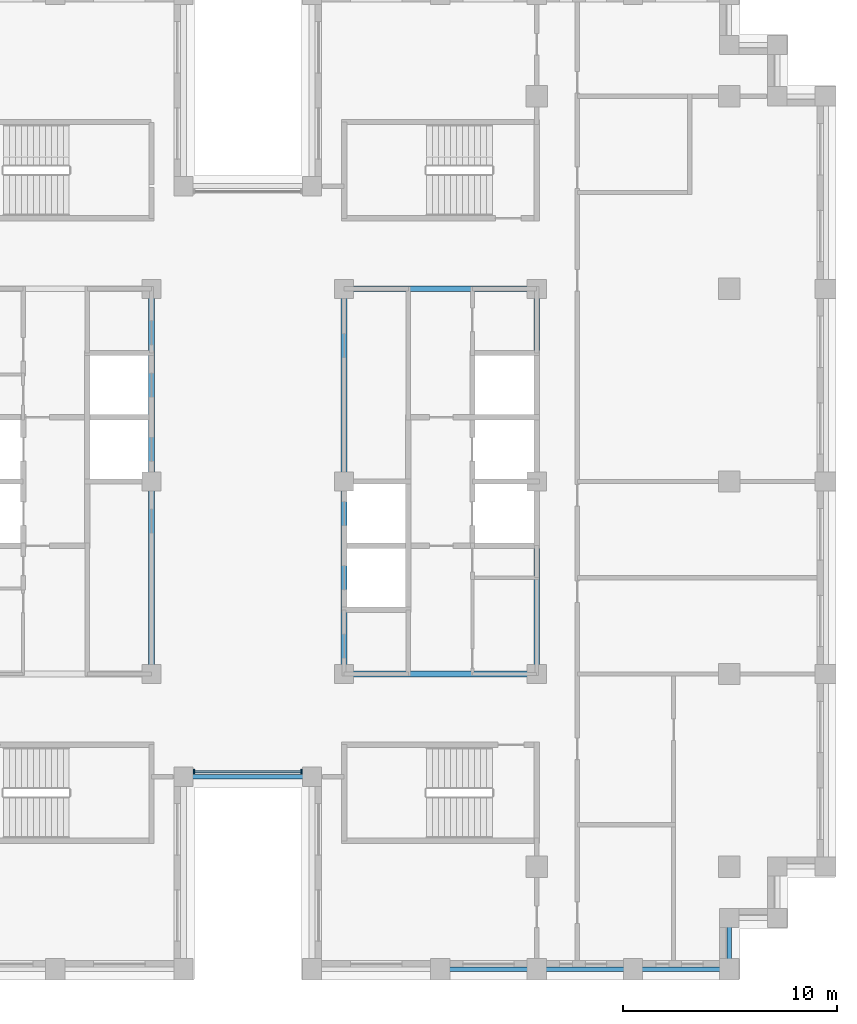
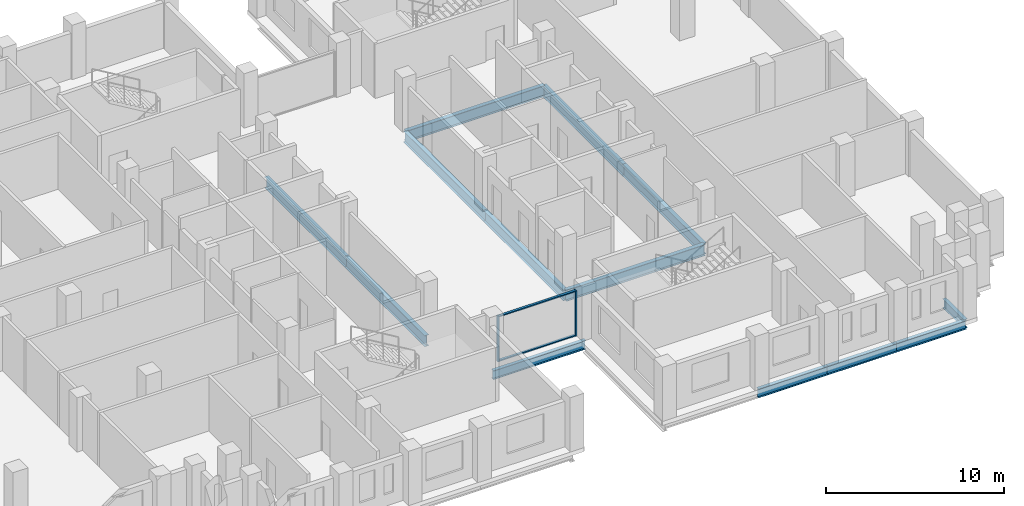
# One storey, part 2 of 15: 13 beams, 4 members, 1 element without a shape of its own.
"""IFC4 building model written with IfcOpenShell, lengths in metres."""

import ifcopenshell
import ifcopenshell.guid

model = None  # the IFC model being written
_history = None  # IfcOwnerHistory: only IFC2X3 demands one
_inside = {}  # id of a spatial element -> (the spatial element, [elements in it])
_under = {}  # id of a project, library or spatial element -> (it, [spatial elements below it])
_declared = {}  # id of a project -> (the project, [libraries it declares])
_typed = {}  # id of a type object -> (the type object, [elements of that type])
_made_of = {}  # id of a material, layer set ... -> (it, [elements and type objects made of it])


def new_model(schema):
    """Start an empty IFC model of exactly this schema.

    Asked for "IFC4X3", IfcOpenShell would pick the latest addendum, in which some entities
    have other attributes; the version numbers below select the first issue.
    IFC2X3 requires an IfcOwnerHistory on every rooted entity: one is made here for all.
    """
    global model, _history
    if schema == "IFC4X3":
        model = ifcopenshell.file(schema_version=(4, 3, 0, 0))
    else:
        model = ifcopenshell.file(schema=schema)
    _inside.clear()
    _under.clear()
    _declared.clear()
    _typed.clear()
    _made_of.clear()
    _history = None
    if model.schema == "IFC2X3":
        org = make("IfcOrganization", Name="unknown")
        user = make(
            "IfcPersonAndOrganization",
            ThePerson=make("IfcPerson", FamilyName="unknown"),
            TheOrganization=org,
        )
        app = make(
            "IfcApplication",
            ApplicationDeveloper=org,
            Version="unknown",
            ApplicationFullName="unknown",
            ApplicationIdentifier="unknown",
        )
        _history = make(
            "IfcOwnerHistory",
            OwningUser=user,
            OwningApplication=app,
            ChangeAction="ADDED",
            CreationDate=0,
        )
    return model


def make(cls, **values):
    """One entity of the class cls with the attributes given. An attribute that is None is left unset."""
    return model.create_entity(
        cls, **{name: value for name, value in values.items() if value is not None}
    )


def rooted(cls, **values):
    """An entity with a GlobalId (a new one), such as an element, a storey or a relation."""
    return make(cls, GlobalId=ifcopenshell.guid.new(), OwnerHistory=_history, **values)


def si_unit(unit_type, name, prefix=None):
    """IfcSIUnit, for example si_unit("LENGTHUNIT", "METRE", prefix="MILLI")."""
    return make("IfcSIUnit", UnitType=unit_type, Prefix=prefix, Name=name)


def assignment(units):
    """IfcUnitAssignment: the units of a project."""
    return None if units is None else make("IfcUnitAssignment", Units=units)


def point(xyz):
    """IfcCartesianPoint."""
    return None if xyz is None else make("IfcCartesianPoint", Coordinates=xyz)


def direction(xyz):
    """IfcDirection."""
    return None if xyz is None else make("IfcDirection", DirectionRatios=xyz)


def frame(location, z_axis=None, x_axis=None):
    """IfcAxis2Placement3D, a coordinate frame: its origin and axes. An axis left out is left unset."""
    return make(
        "IfcAxis2Placement3D",
        Location=point(location),
        Axis=direction(z_axis),
        RefDirection=direction(x_axis),
    )


def frame_2d(location, x_axis=None):
    """IfcAxis2Placement2D, a coordinate frame in the plane: its origin and x axis."""
    return make(
        "IfcAxis2Placement2D", Location=point(location), RefDirection=direction(x_axis)
    )


def origin():
    """The frame at (0, 0, 0) with its axes left unset."""
    return frame((0.0, 0.0, 0.0))


def origin_2d():
    """The frame at (0, 0) in the plane with its x axis left unset."""
    return frame_2d((0.0, 0.0))


def place(relative_to, where):
    """IfcLocalPlacement: puts the frame where relative to a parent placement (None: the world)."""
    return make(
        "IfcLocalPlacement", PlacementRelTo=relative_to, RelativePlacement=where
    )


def context(
    kind, dimensions, precision=None, world=None, true_north=None, identifier=None
):
    """IfcGeometricRepresentationContext, for example the 3D "Model" context."""
    return make(
        "IfcGeometricRepresentationContext",
        ContextIdentifier=identifier,
        ContextType=kind,
        CoordinateSpaceDimension=dimensions,
        Precision=precision,
        WorldCoordinateSystem=world,
        TrueNorth=true_north,
    )


def subcontext(parent, identifier, kind, view, scale=None):
    """IfcGeometricRepresentationSubContext, for example "Body" below "Model"."""
    return make(
        "IfcGeometricRepresentationSubContext",
        ContextIdentifier=identifier,
        ContextType=kind,
        ParentContext=parent,
        TargetScale=scale,
        TargetView=view,
    )


def project(units=None, contexts=None):
    """IfcProject with its units and contexts."""
    return rooted(
        "IfcProject",
        Name="project",
        RepresentationContexts=contexts,
        UnitsInContext=assignment(units),
    )


def spatial(cls, under=None, at=None, **own):
    """A site, building, storey or space (cls), placed at a placement, below another one or the project."""
    s = rooted(cls, ObjectPlacement=at, **own)
    if under is not None:
        _under.setdefault(under.id(), (under, []))[1].append(s)
    return s


def profile(cls, at=None, kind="AREA", **sizes):
    """A parametric profile (cls). Its sizes go by their IFC names, for example OverallWidth=200.0."""
    return make(cls, ProfileType=kind, Position=at, **sizes)


def rectangle(**sizes):
    """IfcRectangleProfileDef."""
    return profile("IfcRectangleProfileDef", **sizes)


def i_section(**sizes):
    """IfcIShapeProfileDef."""
    return profile("IfcIShapeProfileDef", **sizes)


def extrude(swept, where, along, depth):
    """IfcExtrudedAreaSolid: the profile swept, set in the frame where, extruded along a direction by depth."""
    return make(
        "IfcExtrudedAreaSolid",
        SweptArea=swept,
        Position=where,
        ExtrudedDirection=direction(along),
        Depth=depth,
    )


def shape(context_of_items, identifier, shape_type, items):
    """IfcShapeRepresentation: the items that make up one representation, for example the "Body"."""
    return make(
        "IfcShapeRepresentation",
        ContextOfItems=context_of_items,
        RepresentationIdentifier=identifier,
        RepresentationType=shape_type,
        Items=items,
    )


def material(Name=None, Category=None):
    """IfcMaterial."""
    return make("IfcMaterial", Name=Name, Category=Category)


def layer(
    of_material, thickness, ventilated=None, Name=None, Category=None, Priority=None
):
    """IfcMaterialLayer: one layer of a wall or slab, of a material (None: an air gap)."""
    return make(
        "IfcMaterialLayer",
        Material=of_material,
        LayerThickness=thickness,
        IsVentilated=ventilated,
        Name=Name,
        Category=Category,
        Priority=Priority,
    )


def layer_set(layers, Name=None):
    """IfcMaterialLayerSet."""
    return make("IfcMaterialLayerSet", MaterialLayers=layers, LayerSetName=Name)


def material_profile(
    of_material, cross_section, Name=None, Category=None, Priority=None
):
    """IfcMaterialProfile: a cross section and its material."""
    return make(
        "IfcMaterialProfile",
        Name=Name,
        Material=of_material,
        Profile=cross_section,
        Priority=Priority,
        Category=Category,
    )


def profile_set(profiles, Name=None, composite=None):
    """IfcMaterialProfileSet."""
    return make(
        "IfcMaterialProfileSet",
        Name=Name,
        MaterialProfiles=profiles,
        CompositeProfile=composite,
    )


def made_of(thing, what):
    """Note that an element or type object is made of a material, layer set ...; save() writes the relation."""
    if what is not None:
        _made_of.setdefault(what.id(), (what, []))[1].append(thing)
    return thing


def type_object(cls, material=None, **own):
    """A type object (cls), such as IfcWallType, which elements share."""
    return made_of(rooted(cls, **own), material)


def element(
    cls,
    number,
    at=None,
    inside=None,
    cuts=None,
    type_object=None,
    material=None,
    context=None,
    identifier="Body",
    shape_type=None,
    held_by="IfcProductDefinitionShape",
    body=None,
    shapes=None,
    **own,
):
    """One element of the class cls, such as IfcWall. Its Tag is "e" and its number.

    at: its placement. inside: the storey or other place that contains it. cuts: it is an
    opening in that element (IfcRelVoidsElement). A single representation is given by context,
    identifier, shape_type and body (its items); several are given by shapes. held_by: the class
    of the entity that holds the representations. save() writes the other relations.
    """
    e = rooted(cls, Tag="e%d" % number, ObjectPlacement=at, **own)
    if body is not None:
        shapes = [shape(context, identifier, shape_type, body)]
    if shapes is not None:
        e.Representation = make(held_by, Representations=shapes)
    if inside is not None:
        _inside.setdefault(inside.id(), (inside, []))[1].append(e)
    if cuts is not None:
        rooted(
            "IfcRelVoidsElement", RelatingBuildingElement=cuts, RelatedOpeningElement=e
        )
    if type_object is not None:
        _typed.setdefault(type_object.id(), (type_object, []))[1].append(e)
    return made_of(e, material)


def aggregate(whole, parts):
    """IfcRelAggregates: a whole, such as a stair, and the parts it consists of."""
    return rooted("IfcRelAggregates", RelatingObject=whole, RelatedObjects=parts)


def save(model, path):
    """Write the relations noted so far, then the file.

    IfcRelAggregates (storeys below a building ...), IfcRelContainedInSpatialStructure (elements
    in a storey), IfcRelDefinesByType, IfcRelAssociatesMaterial and IfcRelDeclares: one each for
    every whole, place, type object, material and project.
    """
    for whole, parts in _under.values():
        aggregate(whole, parts)
    for where, things in _inside.values():
        rooted(
            "IfcRelContainedInSpatialStructure",
            RelatedElements=things,
            RelatingStructure=where,
        )
    for kind, things in _typed.values():
        rooted("IfcRelDefinesByType", RelatedObjects=things, RelatingType=kind)
    for what, things in _made_of.values():
        rooted("IfcRelAssociatesMaterial", RelatedObjects=things, RelatingMaterial=what)
    for by, libraries in _declared.values():
        rooted("IfcRelDeclares", RelatingContext=by, RelatedDefinitions=libraries)
    model.write(path)


model = new_model("IFC4")

# Units and contexts
model_context = context("Model", 3, precision=1e-05, world=origin(), true_north=direction((0.0, 1.0)))
body_context = subcontext(model_context, "Body", "Model", "MODEL_VIEW")
ifc_project = project(units=[si_unit("LENGTHUNIT", "METRE"), si_unit("AREAUNIT", "SQUARE_METRE"), si_unit("VOLUMEUNIT", "CUBIC_METRE"), si_unit("PLANEANGLEUNIT", "RADIAN"), si_unit("MASSUNIT", "GRAM", prefix="KILO")], contexts=[model_context])

# Site, building, storey
site_placement = place(None, origin())
site = spatial("IfcSite", under=ifc_project, at=site_placement, CompositionType="ELEMENT")
building_placement = place(site_placement, origin())
building = spatial("IfcBuilding", under=site, at=building_placement, Name="Corbelhall Arena Tower", CompositionType="ELEMENT")
storey_placement = place(building_placement, frame((0.0, 0.0, 208.0)))
storey = spatial("IfcBuildingStorey", under=building, at=storey_placement, Name="L43", CompositionType="ELEMENT", Elevation=208.0)

# Curtain wall, members
ifc_material_1 = material(Name="Aluminium black anodised", Category="aluminium")
ifc_layer = layer(ifc_material_1, 0.199951171875)
ifc_layer_set = layer_set([ifc_layer], Name="EV-CW1 Slot back wall")
curtain_wall_type = type_object("IfcCurtainWallType", Name="EV-CW1 Slot back wall", PredefinedType="NOTDEFINED", material=ifc_layer_set)
curtain_wall_placement = place(storey_placement, origin())
curtain_wall = element("IfcCurtainWall", 1, at=curtain_wall_placement, inside=storey, type_object=curtain_wall_type, Name="Curtain wall CW1", PredefinedType="NOTDEFINED")
ifc_material_profile_1 = material_profile(ifc_material_1, rectangle(XDim=0.199951171875, YDim=0.074951171875, at=origin_2d()))
ifc_profile_set_1 = profile_set([ifc_material_profile_1], Name="Aluminium black anodised")
member_type_1 = type_object("IfcMemberType", Name="EV-CW1-MULLION", PredefinedType="MULLION", material=ifc_profile_set_1)
member_1_placement = place(storey_placement, frame((-2.512451171875, -13.550048828125, 0.0), z_axis=(0.0, 0.0, 1.0), x_axis=(0.0, 1.0, 0.0)))
member_1 = element("IfcMember", 2, at=member_1_placement, type_object=member_type_1, Name="CW1 mullion 1", PredefinedType="MULLION", context=body_context, shape_type="SweptSolid", body=[
    extrude(rectangle(XDim=0.199951171875, YDim=0.074951171875, at=origin_2d()), origin(), (0.0, 0.0, 1.0), 3.1201171875),
])
member_2_placement = place(storey_placement, frame((2.512451171875, -13.550048828125, 0.0), z_axis=(0.0, 0.0, 1.0), x_axis=(0.0, 1.0, 0.0)))
member_2 = element("IfcMember", 3, at=member_2_placement, type_object=member_type_1, Name="CW1 mullion 2", PredefinedType="MULLION", context=body_context, shape_type="SweptSolid", body=[
    extrude(rectangle(XDim=0.199951171875, YDim=0.074951171875, at=origin_2d()), origin(), (0.0, 0.0, 1.0), 3.1201171875),
])
ifc_material_profile_2 = material_profile(ifc_material_1, rectangle(XDim=0.14990234375, YDim=0.074951171875, at=origin_2d()))
ifc_profile_set_2 = profile_set([ifc_material_profile_2], Name="Aluminium black anodised")
member_type_2 = type_object("IfcMemberType", Name="EV-CW1-TRANSOM", PredefinedType="USERDEFINED", material=ifc_profile_set_2)
member_3_placement = place(storey_placement, frame((-2.47509765625, -13.550048828125, 0.03759765625), z_axis=(1.0, 0.0, 0.0), x_axis=(0.0, 1.0, 0.0)))
member_3 = element("IfcMember", 4, at=member_3_placement, type_object=member_type_2, Name="CW1 transom 1.1", ObjectType="transom", PredefinedType="USERDEFINED", context=body_context, shape_type="SweptSolid", body=[
    extrude(rectangle(XDim=0.14990234375, YDim=0.074951171875, at=origin_2d()), origin(), (0.0, 0.0, 1.0), 4.9501953125),
])
member_4_placement = place(storey_placement, frame((-2.47509765625, -13.550048828125, 3.08251953125), z_axis=(1.0, 0.0, 0.0), x_axis=(0.0, 1.0, 0.0)))
member_4 = element("IfcMember", 5, at=member_4_placement, type_object=member_type_2, Name="CW1 transom 1.2", ObjectType="transom", PredefinedType="USERDEFINED", context=body_context, shape_type="SweptSolid", body=[
    extrude(rectangle(XDim=0.14990234375, YDim=0.074951171875, at=origin_2d()), origin(), (0.0, 0.0, 1.0), 4.9501953125),
])
aggregate(curtain_wall, [member_1, member_2, member_3, member_4])

# Beams
ifc_material_2 = material(Name="Steel ASTM A992 Gr50", Category="steel")
ifc_material_profile_3 = material_profile(ifc_material_2, i_section(OverallWidth=0.2666015625, OverallDepth=0.761962890625, WebThickness=0.014404296875, FlangeThickness=0.021484375, at=origin_2d()))
ifc_profile_set_3 = profile_set([ifc_material_profile_3], Name="Steel ASTM A992 Gr50")
beam_type_1 = type_object("IfcBeamType", Name="ST-BEAM-W30x116", PredefinedType="BEAM", material=ifc_profile_set_3)
for number, where, z_axis, x_axis, name in (
    (6, (-4.5, -9.0, -0.660888671875), (0.0, 1.0, 0.0), (-1.0, 0.0, 0.0), "Beam CEW 3"),
    (7, (-4.5, 0.0, -0.660888671875), (0.0, 1.0, 0.0), (-1.0, 0.0, 0.0), "Beam CEW 4"),
    (8, (4.5, -9.0, -0.660888671875), (0.0, 1.0, 0.0), (-1.0, 0.0, 0.0), "Beam CEE 7"),
    (9, (4.5, 0.0, -0.660888671875), (0.0, 1.0, 0.0), (-1.0, 0.0, 0.0), "Beam CEE 8"),
    (10, (13.5, -9.0, -0.660888671875), (0.0, 1.0, 0.0), (-1.0, 0.0, 0.0), "Beam CEE 9"),
    (11, (13.5, 0.0, -0.660888671875), (0.0, 1.0, 0.0), (-1.0, 0.0, 0.0), "Beam CEE 10"),
    (12, (4.5, -9.0, -0.660888671875), (1.0, 0.0, 0.0), (0.0, 1.0, 0.0), "Beam CEE 11"),
    (13, (4.5, 9.0, -0.660888671875), (1.0, 0.0, 0.0), (0.0, 1.0, 0.0), "Beam CEE 12"),
):
    element("IfcBeam", number, at=place(storey_placement, frame(where, z_axis=z_axis, x_axis=x_axis)), inside=storey, type_object=beam_type_1, Name=name, PredefinedType="BEAM", context=body_context, shape_type="SweptSolid", body=[
        extrude(i_section(OverallWidth=0.2666015625, OverallDepth=0.761962890625, WebThickness=0.014404296875, FlangeThickness=0.021484375, at=origin_2d()), origin(), (0.0, 0.0, 1.0), 9.0),
    ])
ifc_material_profile_4 = material_profile(ifc_material_2, i_section(OverallWidth=0.228271484375, OverallDepth=0.607177734375, WebThickness=0.01123046875, FlangeThickness=0.017333984375, at=origin_2d()))
ifc_profile_set_4 = profile_set([ifc_material_profile_4], Name="Steel ASTM A992 Gr50")
beam_type_2 = type_object("IfcBeamType", Name="ST-SPANDREL-W24x76", PredefinedType="SPANDREL", material=ifc_profile_set_4)
for number, where, z_axis, x_axis, name in (
    (14, (13.5, -22.800048828125, -0.58349609375), (-1.0, 0.0, 0.0), (0.0, -1.0, 0.0), "Beam SP 25"),
    (15, (18.0, -22.800048828125, -0.58349609375), (-1.0, 0.0, 0.0), (0.0, -1.0, 0.0), "Beam SP 26"),
    (16, (22.5, -22.800048828125, -0.58349609375), (-1.0, 0.0, 0.0), (0.0, -1.0, 0.0), "Beam SP 27"),
):
    element("IfcBeam", number, at=place(storey_placement, frame(where, z_axis=z_axis, x_axis=x_axis)), inside=storey, type_object=beam_type_2, Name=name, PredefinedType="SPANDREL", context=body_context, shape_type="SweptSolid", body=[
        extrude(i_section(OverallWidth=0.228271484375, OverallDepth=0.607177734375, WebThickness=0.01123046875, FlangeThickness=0.017333984375, at=origin_2d()), origin(), (0.0, 0.0, 1.0), 4.5),
    ])
beam_1_placement = place(storey_placement, frame((3.0, -13.800048828125, -0.58349609375), z_axis=(-1.0, 0.0, 0.0), x_axis=(0.0, -1.0, 0.0)))
element("IfcBeam", 17, at=beam_1_placement, inside=storey, type_object=beam_type_2, Name="Beam SP 37", PredefinedType="SPANDREL", context=body_context, shape_type="SweptSolid", body=[
    extrude(i_section(OverallWidth=0.228271484375, OverallDepth=0.607177734375, WebThickness=0.01123046875, FlangeThickness=0.017333984375, at=origin_2d()), origin(), (0.0, 0.0, 1.0), 6.0),
])
beam_2_placement = place(storey_placement, frame((22.5, -20.39990234375, -0.58349609375), z_axis=(0.0, -1.0, 0.0), x_axis=(1.0, 0.0, 0.0)))
element("IfcBeam", 18, at=beam_2_placement, inside=storey, type_object=beam_type_2, Name="Beam SP 45", PredefinedType="SPANDREL", context=body_context, shape_type="SweptSolid", body=[
    extrude(i_section(OverallWidth=0.228271484375, OverallDepth=0.607177734375, WebThickness=0.01123046875, FlangeThickness=0.017333984375, at=origin_2d()), origin(), (0.0, 0.0, 1.0), 2.400146484375),
])

save(model, "model.ifc")
